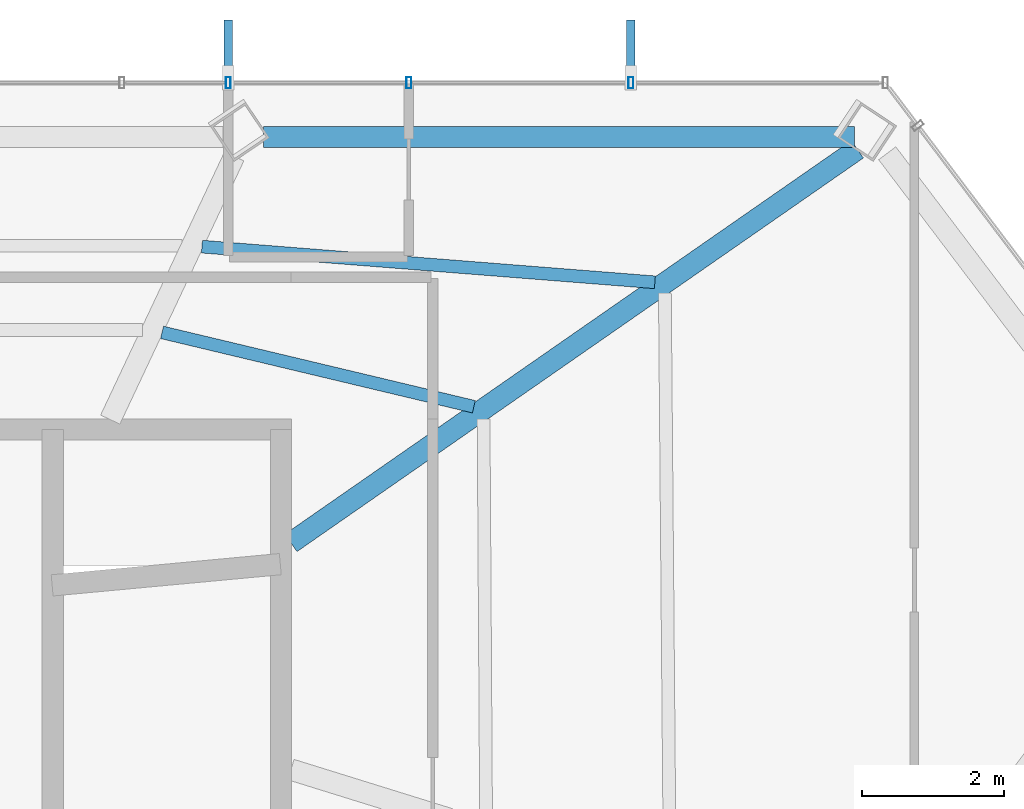
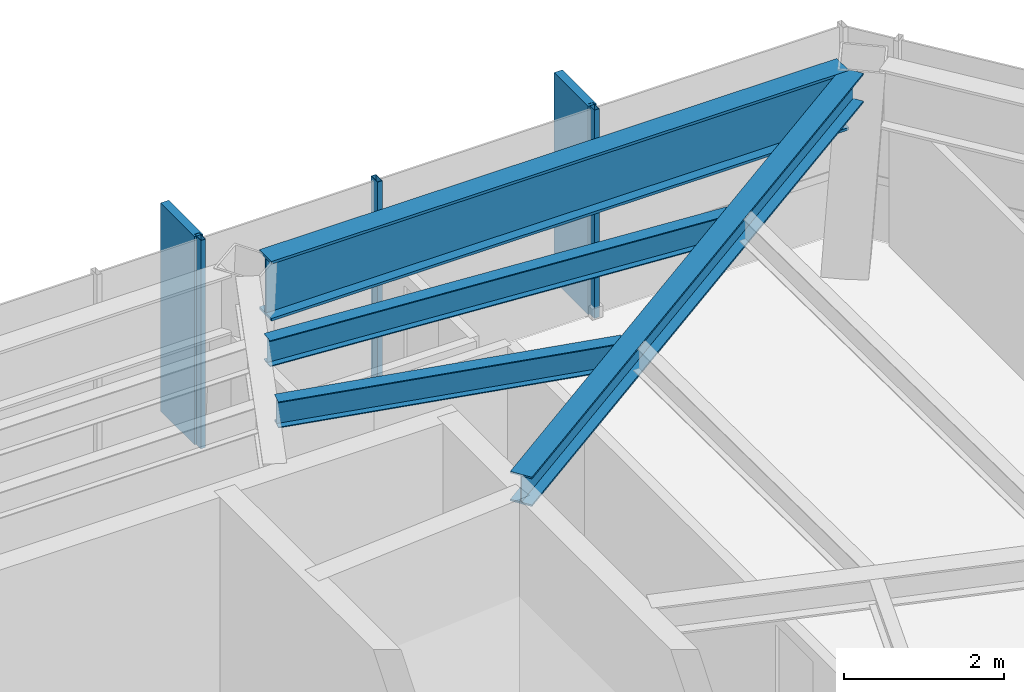
# One storey, part 21 of 27: 5 members, 4 beams, 1 element without a shape of its own.
"""IFC4 building model written with IfcOpenShell, lengths in metres."""

from ifc_helpers import new_model, si_unit, direction, frame, origin, origin_2d, place, context, subcontext, project, spatial, rectangle, hollow_rectangle, i_section, extrude, material, layer, layer_set, material_profile, profile_set, type_object, element, aggregate, save


model = new_model("IFC4")

# Units and contexts
model_context = context("Model", 3, precision=1e-05, world=origin(), true_north=direction((0.0, 1.0)))
body_context = subcontext(model_context, "Body", "Model", "MODEL_VIEW")
ifc_project = project(units=[si_unit("LENGTHUNIT", "METRE"), si_unit("AREAUNIT", "SQUARE_METRE"), si_unit("VOLUMEUNIT", "CUBIC_METRE"), si_unit("PLANEANGLEUNIT", "RADIAN"), si_unit("MASSUNIT", "GRAM", prefix="KILO")], contexts=[model_context])

# Site, building, storey
site_placement = place(None, origin())
site = spatial("IfcSite", under=ifc_project, at=site_placement, CompositionType="ELEMENT")
building_placement = place(site_placement, origin())
building = spatial("IfcBuilding", under=site, at=building_placement, Name="Zarrinselat Tower", CompositionType="ELEMENT")
storey_placement = place(building_placement, frame((0.0, 0.0, 225.760009765625)))
storey = spatial("IfcBuildingStorey", under=building, at=storey_placement, Name="L56", CompositionType="ELEMENT", Elevation=225.760009765625)

# Beams
ifc_material_1 = material(Name="Steel S355J2", Category="steel")
ifc_material_profile_1 = material_profile(ifc_material_1, i_section(OverallWidth=0.300048828125, OverallDepth=0.449951171875, WebThickness=0.013916015625, FlangeThickness=0.02587890625, at=origin_2d()), Name="HEB 450")
ifc_profile_set_1 = profile_set([ifc_material_profile_1], Name="Steel S355J2")
beam_type_1 = type_object("IfcBeamType", Name="BM-HEB450", PredefinedType="BEAM", material=ifc_profile_set_1)
beam_1_placement = place(storey_placement, frame((48.35009765625, 41.800048828125, 2.955078125), z_axis=(0.821180621755, 0.570668368191, 0.0), x_axis=(-0.570668368191, 0.821180621755, 0.0)))
element("IfcBeam", 1, at=beam_1_placement, inside=storey, type_object=beam_type_1, Name="L56 Radial Primary Girder RG01", PredefinedType="BEAM", context=body_context, shape_type="SweptSolid", body=[
    extrude(i_section(OverallWidth=0.300048828125, OverallDepth=0.449951171875, WebThickness=0.013916015625, FlangeThickness=0.02587890625, at=origin_2d()), origin(), (0.0, 0.0, 1.0), 9.73486328125),
])
ifc_material_2 = material(Name="Steel S460M", Category="steel")
ifc_material_profile_2 = material_profile(ifc_material_2, i_section(OverallWidth=0.302001953125, OverallDepth=0.909912109375, WebThickness=0.02099609375, FlangeThickness=0.0400390625, at=origin_2d()), Name="HEM 900")
ifc_profile_set_2 = profile_set([ifc_material_profile_2], Name="Steel S460M")
beam_type_2 = type_object("IfcBeamType", Name="BM-HEM900", PredefinedType="BEAM", material=ifc_profile_set_2)
beam_2_placement = place(storey_placement, frame((47.9658203125, 47.52783203125, 2.72509765625), z_axis=(1.0, 0.0, 0.0), x_axis=(0.0, 1.0, 0.0)))
element("IfcBeam", 2, at=beam_2_placement, inside=storey, type_object=beam_type_2, Name="L56 Perimeter Spandrel Girder SP01", PredefinedType="BEAM", context=body_context, shape_type="SweptSolid", body=[
    extrude(i_section(OverallWidth=0.302001953125, OverallDepth=0.909912109375, WebThickness=0.02099609375, FlangeThickness=0.0400390625, at=origin_2d()), origin(), (0.0, 0.0, 1.0), 8.33837890625),
])
ifc_material_3 = material(Name="Steel S355J2", Category="steel")
ifc_material_profile_3 = material_profile(ifc_material_3, i_section(OverallWidth=0.179931640625, OverallDepth=0.39990234375, WebThickness=0.008544921875, FlangeThickness=0.013427734375, at=origin_2d()), Name="IPE 400")
ifc_profile_set_3 = profile_set([ifc_material_profile_3], Name="Steel S355J2")
beam_type_3 = type_object("IfcBeamType", Name="BM-IPE400", PredefinedType="JOIST", material=ifc_profile_set_3)
beam_3_placement = place(storey_placement, frame((47.093994140625, 45.980712890625, 2.97998046875), z_axis=(0.996916516192, -0.078469482885, 0.0), x_axis=(0.078469482885, 0.996916516192, 0.0)))
element("IfcBeam", 3, at=beam_3_placement, inside=storey, type_object=beam_type_3, Name="L56 Composite Floor Joist 6-1", PredefinedType="JOIST", context=body_context, shape_type="SweptSolid", body=[
    extrude(i_section(OverallWidth=0.179931640625, OverallDepth=0.39990234375, WebThickness=0.008544921875, FlangeThickness=0.013427734375, at=origin_2d()), origin(), (0.0, 0.0, 1.0), 6.412353515625),
])
beam_4_placement = place(storey_placement, frame((46.531005859375, 44.7705078125, 2.97998046875), z_axis=(0.972732052992, -0.231931785408, 0.0), x_axis=(0.231931785408, 0.972732052992, 0.0)))
element("IfcBeam", 4, at=beam_4_placement, inside=storey, type_object=beam_type_3, Name="L56 Composite Floor Joist 6-2", PredefinedType="JOIST", context=body_context, shape_type="SweptSolid", body=[
    extrude(i_section(OverallWidth=0.179931640625, OverallDepth=0.39990234375, WebThickness=0.008544921875, FlangeThickness=0.013427734375, at=origin_2d()), origin(), (0.0, 0.0, 1.0), 4.524169921875),
])

# Curtain wall, members
ifc_material_4 = material(Name="Extruded Aluminium Alloy EN AW-6063 T6", Category="aluminium")
ifc_layer = layer(ifc_material_4, 0.169921875)
ifc_layer_set = layer_set([ifc_layer], Name="Extruded Aluminium Alloy EN AW-6063 T6")
curtain_wall_type = type_object("IfcCurtainWallType", Name="CWS-RES", PredefinedType="NOTDEFINED", material=ifc_layer_set)
curtain_wall_placement = place(storey_placement, origin())
curtain_wall = element("IfcCurtainWall", 5, at=curtain_wall_placement, inside=storey, type_object=curtain_wall_type, Name="L56 Unitised Curtain Wall CW-L56-E01", PredefinedType="NOTDEFINED")
ifc_material_5 = material(Name="Extruded Aluminium Alloy EN AW-6063 T6", Category="aluminium")
ifc_material_profile_4 = material_profile(ifc_material_5, hollow_rectangle(XDim=0.070068359375, YDim=0.159912109375, WallThickness=0.00390625, at=origin_2d()), Name="RHS 160x70x4")
ifc_profile_set_4 = profile_set([ifc_material_profile_4], Name="Extruded Aluminium Alloy EN AW-6063 T6")
member_type_1 = type_object("IfcMemberType", Name="MEM-CW-MUL2", PredefinedType="MULLION", material=ifc_profile_set_4)
member_1_placement = place(storey_placement, frame((53.14794921875, 48.29443359375, 0.0), z_axis=(0.0, 0.0, 1.0), x_axis=(-1.0, 0.0, 0.0)))
member_1 = element("IfcMember", 6, at=member_1_placement, type_object=member_type_1, Name="CW-L56-E01 Mullion 1", PredefinedType="MULLION", context=body_context, shape_type="SweptSolid", body=[
    extrude(hollow_rectangle(XDim=0.070068359375, YDim=0.159912109375, WallThickness=0.00390625, at=origin_2d()), origin(), (0.0, 0.0, 1.0), 3.179931640625),
])
member_2_placement = place(storey_placement, frame((50.015380859375, 48.29443359375, 0.0), z_axis=(0.0, 0.0, 1.0), x_axis=(-1.0, 0.0, 0.0)))
member_2 = element("IfcMember", 7, at=member_2_placement, type_object=member_type_1, Name="CW-L56-E01 Mullion 2", PredefinedType="MULLION", context=body_context, shape_type="SweptSolid", body=[
    extrude(hollow_rectangle(XDim=0.070068359375, YDim=0.159912109375, WallThickness=0.00390625, at=origin_2d()), origin(), (0.0, 0.0, 1.0), 3.179931640625),
])
member_3_placement = place(storey_placement, frame((47.46533203125, 48.29443359375, 0.0), z_axis=(0.0, 0.0, 1.0), x_axis=(-1.0, 0.0, 0.0)))
member_3 = element("IfcMember", 8, at=member_3_placement, type_object=member_type_1, Name="CW-L56-E01 Mullion 3", PredefinedType="MULLION", context=body_context, shape_type="SweptSolid", body=[
    extrude(hollow_rectangle(XDim=0.070068359375, YDim=0.159912109375, WallThickness=0.00390625, at=origin_2d()), origin(), (0.0, 0.0, 1.0), 3.179931640625),
])
ifc_material_6 = material(Name="Honed Cream Travertine Stone", Category="masonry")
ifc_material_profile_5 = material_profile(ifc_material_6, rectangle(XDim=0.1201171875, YDim=0.85009765625, at=origin_2d()), Name="FIN 850x120")
ifc_profile_set_5 = profile_set([ifc_material_profile_5], Name="Honed Cream Travertine Stone")
member_type_2 = type_object("IfcMemberType", Name="MEM-STONE-FIN", PredefinedType="USERDEFINED", material=ifc_profile_set_5)
member_4_placement = place(storey_placement, frame((53.14794921875, 48.75439453125, 0.0), z_axis=(0.0, 0.0, 1.0), x_axis=(1.0, 0.0, 0.0)))
member_4 = element("IfcMember", 9, at=member_4_placement, type_object=member_type_2, Name="L56 Stone Shading Fin CW-L56-E01-01", ObjectType="FIN", PredefinedType="USERDEFINED", context=body_context, shape_type="SweptSolid", body=[
    extrude(rectangle(XDim=0.1201171875, YDim=0.85009765625, at=origin_2d()), origin(), (0.0, 0.0, 1.0), 3.179931640625),
])
member_5_placement = place(storey_placement, frame((47.46533203125, 48.75439453125, 0.0), z_axis=(0.0, 0.0, 1.0), x_axis=(1.0, 0.0, 0.0)))
member_5 = element("IfcMember", 10, at=member_5_placement, type_object=member_type_2, Name="L56 Stone Shading Fin CW-L56-E01-03", ObjectType="FIN", PredefinedType="USERDEFINED", context=body_context, shape_type="SweptSolid", body=[
    extrude(rectangle(XDim=0.1201171875, YDim=0.85009765625, at=origin_2d()), origin(), (0.0, 0.0, 1.0), 3.179931640625),
])
aggregate(curtain_wall, [member_1, member_4, member_2, member_3, member_5])

save(model, "model.ifc")
